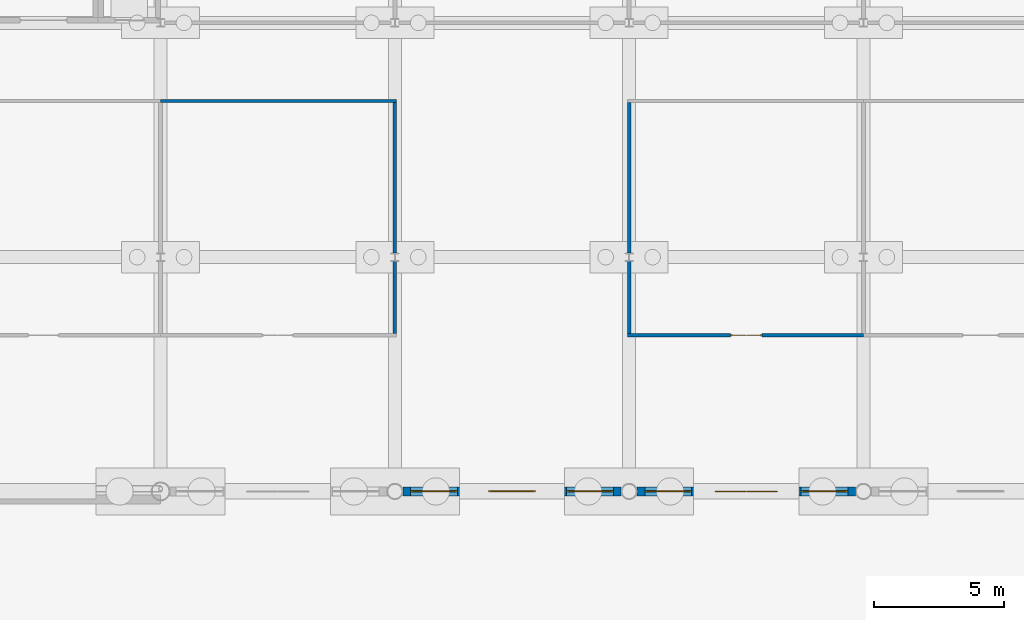
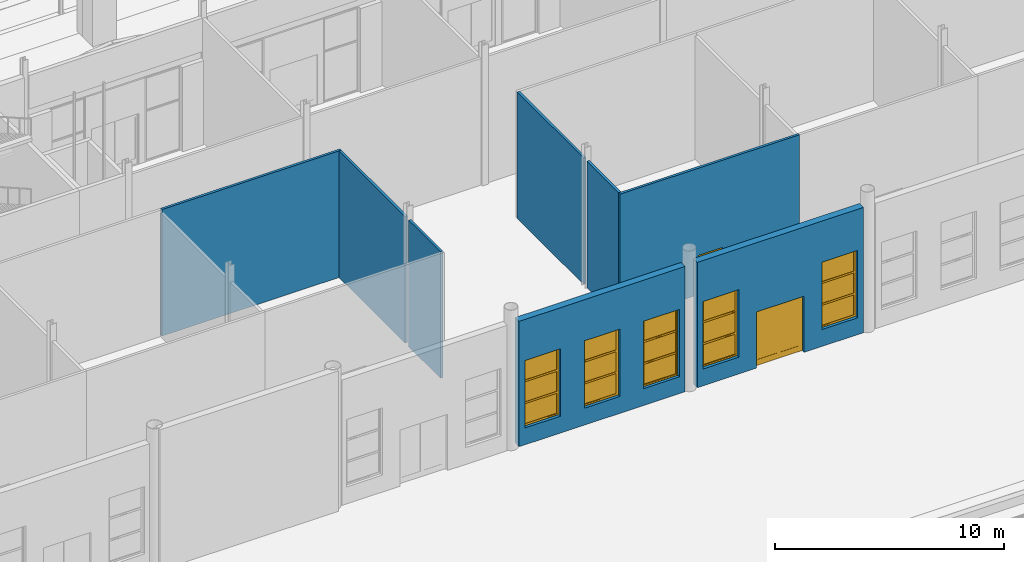
# One storey, part 128 of 250: 8 walls, 5 windows, 2 doors, 7 openings.
"""IFC4 building model written with IfcOpenShell, lengths in metres."""

from ifc_helpers import new_model, si_unit, direction, frame, frame_2d, origin, place, context, subcontext, project, spatial, polyline, rectangle, outline, extrude, material, layer, layer_set, type_object, element, fill, save


model = new_model("IFC4")

# Units and contexts
model_context = context("Model", 3, precision=1e-05, world=origin(), true_north=direction((0.0, 1.0)))
body_context = subcontext(model_context, "Body", "Model", "MODEL_VIEW")
ifc_project = project(units=[si_unit("LENGTHUNIT", "METRE"), si_unit("AREAUNIT", "SQUARE_METRE"), si_unit("VOLUMEUNIT", "CUBIC_METRE"), si_unit("PLANEANGLEUNIT", "RADIAN"), si_unit("MASSUNIT", "GRAM", prefix="KILO")], contexts=[model_context])

# Site, building, storey
site_placement = place(None, origin())
site = spatial("IfcSite", under=ifc_project, at=site_placement, CompositionType="ELEMENT")
building_placement = place(site_placement, origin())
building = spatial("IfcBuilding", under=site, at=building_placement, Name="Baradari Gate Terminus", CompositionType="ELEMENT")
storey_placement = place(building_placement, origin())
storey = spatial("IfcBuildingStorey", under=building, at=storey_placement, Name="L00", CompositionType="ELEMENT", Elevation=0.0)

# Wall
ifc_material_1 = material(Name="Gypsum board")
ifc_layer_1 = layer(ifc_material_1, 0.125)
ifc_layer_set_1 = layer_set([ifc_layer_1], Name="Gypsum board")
wall_type_1 = type_object("IfcWallType", Name="Corridor partition PT-5 125 EI 30", PredefinedType="PARTITIONING", material=ifc_layer_set_1)
wall_1_placement = place(storey_placement, frame((198.0625, 96.0, 0.0), z_axis=(0.0, 0.0, 1.0), x_axis=(-1.0, 0.0, 0.0)))
element("IfcWall", 1, at=wall_1_placement, inside=storey, type_object=wall_type_1, Name="PT-5 partition Corridor (Service Corridor East) / First Aid Room", PredefinedType="PARTITIONING", context=body_context, shape_type="SweptSolid", body=[
    extrude(rectangle(XDim=9.0625, YDim=0.125, at=frame_2d((4.53125, 0.0))), origin(), (0.0, 0.0, 1.0), 6.757080078125),
])

# Wall, opening, door
wall_2_placement = place(storey_placement, frame((206.9375, 87.0, 0.0), z_axis=(0.0, 0.0, 1.0), x_axis=(1.0, 0.0, 0.0)))
wall_2 = element("IfcWall", 2, at=wall_2_placement, inside=storey, type_object=wall_type_1, Name="PT-5 partition Corridor (Platform Passage East) / Police Post", PredefinedType="PARTITIONING", context=body_context, shape_type="SweptSolid", body=[
    extrude(rectangle(XDim=9.0625, YDim=0.125, at=frame_2d((4.53125, 0.0))), origin(), (0.0, 0.0, 1.0), 6.757080078125),
])
opening_1_placement = place(wall_2_placement, frame((3.96240234375, 0.0, 0.0)))
opening_1 = element("IfcOpeningElement", 3, at=opening_1_placement, cuts=wall_2, Name="Opening D00-114", PredefinedType="OPENING", context=body_context, shape_type="SweptSolid", body=[
    extrude(rectangle(XDim=1.199951171875, YDim=2.10009765625, at=frame_2d((0.60009765625, 1.050048828125))), frame((0.0, 0.072509765625, 0.0), z_axis=(0.0, -1.0, 0.0), x_axis=(1.0, 0.0, 0.0)), (0.0, 0.0, 1.0), 0.14501953125),
])
ifc_material_2 = material(Name="Steel S275", Category="steel")
door_type_1 = type_object("IfcDoorType", Name="Fire door FI-1200-FD30S 1200x2100 FD30S", OperationType="DOUBLE_DOOR_SINGLE_SWING", PredefinedType="DOOR", material=ifc_material_2)
door_1_placement = place(opening_1_placement, origin())
door_1 = element("IfcDoor", 4, at=door_1_placement, inside=storey, type_object=door_type_1, Name="Door Police Post", OperationType="DOUBLE_DOOR_SINGLE_SWING", OverallHeight=2.1, OverallWidth=1.2, PredefinedType="DOOR", context=body_context, shape_type="SweptSolid", body=[
    extrude(outline(polyline([(0.0, 0.0), (0.070068359375, 0.0), (0.070068359375, 2.030029296875), (1.1298828125, 2.030029296875), (1.1298828125, 0.0), (1.199951171875, 0.0), (1.199951171875, 2.10009765625), (0.0, 2.10009765625), (0.0, 0.0)])), frame((0.0, 0.02490234375, 0.0), z_axis=(0.0, -1.0, 0.0), x_axis=(1.0, 0.0, 0.0)), (0.0, 0.0, 1.0), 0.050048828125),
    extrude(outline(polyline([(0.073974609375, 0.010009765625), (0.596923828125, 0.010009765625), (0.596923828125, 2.026123046875), (0.073974609375, 2.026123046875), (0.073974609375, 0.010009765625)]), holes=[polyline([(0.178466796875, 0.372802734375), (0.492431640625, 0.372802734375), (0.492431640625, 1.7841796875), (0.178466796875, 1.7841796875), (0.178466796875, 0.372802734375)])]), frame((0.0, 0.017333984375, 0.0), z_axis=(0.0, -1.0, 0.0), x_axis=(1.0, 0.0, 0.0)), (0.0, 0.0, 1.0), 0.034912109375),
    extrude(rectangle(XDim=0.31396484375, YDim=1.411376953125, at=frame_2d((0.33544921875, 1.07861328125))), frame((0.0, 0.008544921875, 0.0), z_axis=(0.0, -1.0, 0.0), x_axis=(1.0, 0.0, 0.0)), (0.0, 0.0, 1.0), 0.017333984375),
    extrude(outline(polyline([(0.60302734375, 0.010009765625), (1.1259765625, 0.010009765625), (1.1259765625, 2.026123046875), (0.60302734375, 2.026123046875), (0.60302734375, 0.010009765625)]), holes=[polyline([(0.70751953125, 0.372802734375), (1.021484375, 0.372802734375), (1.021484375, 1.7841796875), (0.70751953125, 1.7841796875), (0.70751953125, 0.372802734375)])]), frame((0.0, 0.017333984375, 0.0), z_axis=(0.0, -1.0, 0.0), x_axis=(1.0, 0.0, 0.0)), (0.0, 0.0, 1.0), 0.034912109375),
    extrude(rectangle(XDim=0.31396484375, YDim=1.411376953125, at=frame_2d((0.864501953125, 1.07861328125))), frame((0.0, 0.008544921875, 0.0), z_axis=(0.0, -1.0, 0.0), x_axis=(1.0, 0.0, 0.0)), (0.0, 0.0, 1.0), 0.017333984375),
])
fill(opening_1, door_1)

# Walls
wall_3_placement = place(storey_placement, frame((207.0, 95.9375, 0.0), z_axis=(0.0, 0.0, 1.0), x_axis=(0.0, -1.0, 0.0)))
element("IfcWall", 5, at=wall_3_placement, inside=storey, type_object=wall_type_1, Name="PT-5 partition Corridor (Cross Passage East) / Police Post", PredefinedType="PARTITIONING", context=body_context, shape_type="SweptSolid", body=[
    extrude(rectangle(XDim=5.7802734375, YDim=0.125, at=frame_2d((2.89013671875, 0.0))), origin(), (0.0, 0.0, 1.0), 6.757080078125),
])
for number, where, z_axis, x_axis, name in (
    (6, (207.0, 89.8427734375, 0.0), (0.0, 0.0, 1.0), (0.0, -1.0, 0.0), "PT-5 partition Corridor (Cross Passage East) / Police Post"),
    (7, (198.0, 87.0625, 0.0), (0.0, 0.0, 1.0), (0.0, 1.0, 0.0), "PT-5 partition Corridor (Cross Passage East) / First Aid Room"),
):
    element("IfcWall", number, at=place(storey_placement, frame(where, z_axis=z_axis, x_axis=x_axis)), inside=storey, type_object=wall_type_1, Name=name, PredefinedType="PARTITIONING", context=body_context, shape_type="SweptSolid", body=[
        extrude(rectangle(XDim=2.7802734375, YDim=0.125, at=frame_2d((1.39013671875, 0.0))), origin(), (0.0, 0.0, 1.0), 6.757080078125),
    ])
wall_4_placement = place(storey_placement, frame((198.0, 90.1572265625, 0.0), z_axis=(0.0, 0.0, 1.0), x_axis=(0.0, 1.0, 0.0)))
element("IfcWall", 8, at=wall_4_placement, inside=storey, type_object=wall_type_1, Name="PT-5 partition Corridor (Cross Passage East) / First Aid Room", PredefinedType="PARTITIONING", context=body_context, shape_type="SweptSolid", body=[
    extrude(rectangle(XDim=5.7802734375, YDim=0.125, at=frame_2d((2.89013671875, 0.0))), origin(), (0.0, 0.0, 1.0), 6.757080078125),
])

# Wall, openings, windows
ifc_material_3 = material(Name="Sandstone masonry", Category="masonry")
ifc_layer_2 = layer(ifc_material_3, 0.35009765625)
ifc_layer_set_2 = layer_set([ifc_layer_2], Name="Sandstone masonry")
wall_type_2 = type_object("IfcWallType", Name="Sandstone masonry wall WS-1 350", PredefinedType="SOLIDWALL", material=ifc_layer_set_2)
wall_5_placement = place(storey_placement, frame((198.304931640625, 81.0, 0.0), z_axis=(0.0, 0.0, 1.0), x_axis=(1.0, 0.0, 0.0)))
wall_5 = element("IfcWall", 9, at=wall_5_placement, inside=storey, type_object=wall_type_2, Name="platform side wall HS bay 23 L00", PredefinedType="SOLIDWALL", context=body_context, shape_type="SweptSolid", body=[
    extrude(rectangle(XDim=8.39013671875, YDim=0.35009765625, at=frame_2d((4.195068359375, 0.0))), origin(), (0.0, 0.0, 1.0), 6.692138671875),
])
opening_2_placement = place(wall_5_placement, frame((0.294921875, 0.0, 0.89990234375)))
opening_2 = element("IfcOpeningElement", 10, at=opening_2_placement, cuts=wall_5, Name="Opening W3", PredefinedType="OPENING", context=body_context, shape_type="SweptSolid", body=[
    extrude(rectangle(XDim=1.800048828125, YDim=3.60009765625, at=frame_2d((0.89990234375, 1.800048828125))), frame((0.0, 0.18505859375, 0.0), z_axis=(0.0, -1.0, 0.0), x_axis=(1.0, 0.0, 0.0)), (0.0, 0.0, 1.0), 0.3701171875),
])
opening_3_placement = place(wall_5_placement, frame((3.294921875, 0.0, 0.89990234375)))
opening_3 = element("IfcOpeningElement", 11, at=opening_3_placement, cuts=wall_5, Name="Opening W3", PredefinedType="OPENING", context=body_context, shape_type="SweptSolid", body=[
    extrude(rectangle(XDim=1.800048828125, YDim=3.60009765625, at=frame_2d((0.89990234375, 1.800048828125))), frame((0.0, 0.18505859375, 0.0), z_axis=(0.0, -1.0, 0.0), x_axis=(1.0, 0.0, 0.0)), (0.0, 0.0, 1.0), 0.3701171875),
])
opening_4_placement = place(wall_5_placement, frame((6.294921875, 0.0, 0.89990234375)))
opening_4 = element("IfcOpeningElement", 12, at=opening_4_placement, cuts=wall_5, Name="Opening W3", PredefinedType="OPENING", context=body_context, shape_type="SweptSolid", body=[
    extrude(rectangle(XDim=1.800048828125, YDim=3.60009765625, at=frame_2d((0.89990234375, 1.800048828125))), frame((0.0, 0.18505859375, 0.0), z_axis=(0.0, -1.0, 0.0), x_axis=(1.0, 0.0, 0.0)), (0.0, 0.0, 1.0), 0.3701171875),
])
ifc_material_4 = material(Name="Aluminium 6063-T6", Category="aluminium")
window_type = type_object("IfcWindowType", Name="Tall window, 3-light W3 1800x3600", PartitioningType="TRIPLE_PANEL_HORIZONTAL", PredefinedType="WINDOW", material=ifc_material_4)
window_1_placement = place(opening_2_placement, origin())
window_1 = element("IfcWindow", 13, at=window_1_placement, inside=storey, type_object=window_type, Name="Window W3 HS/22", OverallHeight=3.6, OverallWidth=1.8, PartitioningType="TRIPLE_PANEL_HORIZONTAL", PredefinedType="WINDOW", context=body_context, shape_type="SweptSolid", body=[
    extrude(outline(polyline([(0.0, 0.0), (1.800048828125, 0.0), (1.800048828125, 3.60009765625), (0.0, 3.60009765625), (0.0, 0.0)]), holes=[polyline([(0.070068359375, 0.070068359375), (1.72998046875, 0.070068359375), (1.72998046875, 3.530029296875), (0.070068359375, 3.530029296875), (0.070068359375, 0.070068359375)])]), frame((0.0, 0.030029296875, 0.0), z_axis=(0.0, -1.0, 0.0), x_axis=(1.0, 0.0, 0.0)), (0.0, 0.0, 1.0), 0.06005859375),
    extrude(rectangle(XDim=1.659912109375, YDim=0.0400390625, at=frame_2d((0.89990234375, 1.216796875))), frame((0.0, 0.021484375, 0.0), z_axis=(0.0, -1.0, 0.0), x_axis=(1.0, 0.0, 0.0)), (0.0, 0.0, 1.0), 0.04296875),
    extrude(rectangle(XDim=1.659912109375, YDim=0.0400390625, at=frame_2d((0.89990234375, 2.38330078125))), frame((0.0, 0.021484375, 0.0), z_axis=(0.0, -1.0, 0.0), x_axis=(1.0, 0.0, 0.0)), (0.0, 0.0, 1.0), 0.04296875),
    extrude(outline(polyline([(0.070068359375, 0.070068359375), (1.72998046875, 0.070068359375), (1.72998046875, 1.19677734375), (0.070068359375, 1.19677734375), (0.070068359375, 0.070068359375)]), holes=[polyline([(0.10009765625, 0.10009765625), (1.699951171875, 0.10009765625), (1.699951171875, 1.166748046875), (0.10009765625, 1.166748046875), (0.10009765625, 0.10009765625)])]), frame((0.0, 0.0224609375, 0.0), z_axis=(0.0, -1.0, 0.0), x_axis=(1.0, 0.0, 0.0)), (0.0, 0.0, 1.0), 0.044921875),
    extrude(rectangle(XDim=1.599853515625, YDim=1.066650390625, at=frame_2d((0.89990234375, 0.63330078125))), frame((0.0, 0.006103515625, 0.0), z_axis=(0.0, -1.0, 0.0), x_axis=(1.0, 0.0, 0.0)), (0.0, 0.0, 1.0), 0.01220703125),
    extrude(outline(polyline([(0.070068359375, 1.23681640625), (1.72998046875, 1.23681640625), (1.72998046875, 2.36328125), (0.070068359375, 2.36328125), (0.070068359375, 1.23681640625)]), holes=[polyline([(0.10009765625, 1.266845703125), (1.699951171875, 1.266845703125), (1.699951171875, 2.333251953125), (0.10009765625, 2.333251953125), (0.10009765625, 1.266845703125)])]), frame((0.0, 0.0224609375, 0.0), z_axis=(0.0, -1.0, 0.0), x_axis=(1.0, 0.0, 0.0)), (0.0, 0.0, 1.0), 0.044921875),
    extrude(rectangle(XDim=1.599853515625, YDim=1.06640625, at=frame_2d((0.89990234375, 1.800048828125))), frame((0.0, 0.006103515625, 0.0), z_axis=(0.0, -1.0, 0.0), x_axis=(1.0, 0.0, 0.0)), (0.0, 0.0, 1.0), 0.01220703125),
    extrude(outline(polyline([(0.070068359375, 2.4033203125), (1.72998046875, 2.4033203125), (1.72998046875, 3.530029296875), (0.070068359375, 3.530029296875), (0.070068359375, 2.4033203125)]), holes=[polyline([(0.10009765625, 2.433349609375), (1.699951171875, 2.433349609375), (1.699951171875, 3.5), (0.10009765625, 3.5), (0.10009765625, 2.433349609375)])]), frame((0.0, 0.0224609375, 0.0), z_axis=(0.0, -1.0, 0.0), x_axis=(1.0, 0.0, 0.0)), (0.0, 0.0, 1.0), 0.044921875),
    extrude(rectangle(XDim=1.599853515625, YDim=1.066650390625, at=frame_2d((0.89990234375, 2.966796875))), frame((0.0, 0.006103515625, 0.0), z_axis=(0.0, -1.0, 0.0), x_axis=(1.0, 0.0, 0.0)), (0.0, 0.0, 1.0), 0.01220703125),
])
fill(opening_2, window_1)
window_2_placement = place(opening_3_placement, origin())
window_2 = element("IfcWindow", 14, at=window_2_placement, inside=storey, type_object=window_type, Name="Window W3 HS/22", OverallHeight=3.6, OverallWidth=1.8, PartitioningType="TRIPLE_PANEL_HORIZONTAL", PredefinedType="WINDOW", context=body_context, shape_type="SweptSolid", body=[
    extrude(outline(polyline([(0.0, 0.0), (1.800048828125, 0.0), (1.800048828125, 3.60009765625), (0.0, 3.60009765625), (0.0, 0.0)]), holes=[polyline([(0.070068359375, 0.070068359375), (1.72998046875, 0.070068359375), (1.72998046875, 3.530029296875), (0.070068359375, 3.530029296875), (0.070068359375, 0.070068359375)])]), frame((0.0, 0.030029296875, 0.0), z_axis=(0.0, -1.0, 0.0), x_axis=(1.0, 0.0, 0.0)), (0.0, 0.0, 1.0), 0.06005859375),
    extrude(rectangle(XDim=1.659912109375, YDim=0.0400390625, at=frame_2d((0.89990234375, 1.216796875))), frame((0.0, 0.021484375, 0.0), z_axis=(0.0, -1.0, 0.0), x_axis=(1.0, 0.0, 0.0)), (0.0, 0.0, 1.0), 0.04296875),
    extrude(rectangle(XDim=1.659912109375, YDim=0.0400390625, at=frame_2d((0.89990234375, 2.38330078125))), frame((0.0, 0.021484375, 0.0), z_axis=(0.0, -1.0, 0.0), x_axis=(1.0, 0.0, 0.0)), (0.0, 0.0, 1.0), 0.04296875),
    extrude(outline(polyline([(0.070068359375, 0.070068359375), (1.72998046875, 0.070068359375), (1.72998046875, 1.19677734375), (0.070068359375, 1.19677734375), (0.070068359375, 0.070068359375)]), holes=[polyline([(0.10009765625, 0.10009765625), (1.699951171875, 0.10009765625), (1.699951171875, 1.166748046875), (0.10009765625, 1.166748046875), (0.10009765625, 0.10009765625)])]), frame((0.0, 0.0224609375, 0.0), z_axis=(0.0, -1.0, 0.0), x_axis=(1.0, 0.0, 0.0)), (0.0, 0.0, 1.0), 0.044921875),
    extrude(rectangle(XDim=1.599853515625, YDim=1.066650390625, at=frame_2d((0.89990234375, 0.63330078125))), frame((0.0, 0.006103515625, 0.0), z_axis=(0.0, -1.0, 0.0), x_axis=(1.0, 0.0, 0.0)), (0.0, 0.0, 1.0), 0.01220703125),
    extrude(outline(polyline([(0.070068359375, 1.23681640625), (1.72998046875, 1.23681640625), (1.72998046875, 2.36328125), (0.070068359375, 2.36328125), (0.070068359375, 1.23681640625)]), holes=[polyline([(0.10009765625, 1.266845703125), (1.699951171875, 1.266845703125), (1.699951171875, 2.333251953125), (0.10009765625, 2.333251953125), (0.10009765625, 1.266845703125)])]), frame((0.0, 0.0224609375, 0.0), z_axis=(0.0, -1.0, 0.0), x_axis=(1.0, 0.0, 0.0)), (0.0, 0.0, 1.0), 0.044921875),
    extrude(rectangle(XDim=1.599853515625, YDim=1.06640625, at=frame_2d((0.89990234375, 1.800048828125))), frame((0.0, 0.006103515625, 0.0), z_axis=(0.0, -1.0, 0.0), x_axis=(1.0, 0.0, 0.0)), (0.0, 0.0, 1.0), 0.01220703125),
    extrude(outline(polyline([(0.070068359375, 2.4033203125), (1.72998046875, 2.4033203125), (1.72998046875, 3.530029296875), (0.070068359375, 3.530029296875), (0.070068359375, 2.4033203125)]), holes=[polyline([(0.10009765625, 2.433349609375), (1.699951171875, 2.433349609375), (1.699951171875, 3.5), (0.10009765625, 3.5), (0.10009765625, 2.433349609375)])]), frame((0.0, 0.0224609375, 0.0), z_axis=(0.0, -1.0, 0.0), x_axis=(1.0, 0.0, 0.0)), (0.0, 0.0, 1.0), 0.044921875),
    extrude(rectangle(XDim=1.599853515625, YDim=1.066650390625, at=frame_2d((0.89990234375, 2.966796875))), frame((0.0, 0.006103515625, 0.0), z_axis=(0.0, -1.0, 0.0), x_axis=(1.0, 0.0, 0.0)), (0.0, 0.0, 1.0), 0.01220703125),
])
fill(opening_3, window_2)
window_3_placement = place(opening_4_placement, origin())
window_3 = element("IfcWindow", 15, at=window_3_placement, inside=storey, type_object=window_type, Name="Window W3 HS/22", OverallHeight=3.6, OverallWidth=1.8, PartitioningType="TRIPLE_PANEL_HORIZONTAL", PredefinedType="WINDOW", context=body_context, shape_type="SweptSolid", body=[
    extrude(outline(polyline([(0.0, 0.0), (1.800048828125, 0.0), (1.800048828125, 3.60009765625), (0.0, 3.60009765625), (0.0, 0.0)]), holes=[polyline([(0.070068359375, 0.070068359375), (1.72998046875, 0.070068359375), (1.72998046875, 3.530029296875), (0.070068359375, 3.530029296875), (0.070068359375, 0.070068359375)])]), frame((0.0, 0.030029296875, 0.0), z_axis=(0.0, -1.0, 0.0), x_axis=(1.0, 0.0, 0.0)), (0.0, 0.0, 1.0), 0.06005859375),
    extrude(rectangle(XDim=1.659912109375, YDim=0.0400390625, at=frame_2d((0.89990234375, 1.216796875))), frame((0.0, 0.021484375, 0.0), z_axis=(0.0, -1.0, 0.0), x_axis=(1.0, 0.0, 0.0)), (0.0, 0.0, 1.0), 0.04296875),
    extrude(rectangle(XDim=1.659912109375, YDim=0.0400390625, at=frame_2d((0.89990234375, 2.38330078125))), frame((0.0, 0.021484375, 0.0), z_axis=(0.0, -1.0, 0.0), x_axis=(1.0, 0.0, 0.0)), (0.0, 0.0, 1.0), 0.04296875),
    extrude(outline(polyline([(0.070068359375, 0.070068359375), (1.72998046875, 0.070068359375), (1.72998046875, 1.19677734375), (0.070068359375, 1.19677734375), (0.070068359375, 0.070068359375)]), holes=[polyline([(0.10009765625, 0.10009765625), (1.699951171875, 0.10009765625), (1.699951171875, 1.166748046875), (0.10009765625, 1.166748046875), (0.10009765625, 0.10009765625)])]), frame((0.0, 0.0224609375, 0.0), z_axis=(0.0, -1.0, 0.0), x_axis=(1.0, 0.0, 0.0)), (0.0, 0.0, 1.0), 0.044921875),
    extrude(rectangle(XDim=1.599853515625, YDim=1.066650390625, at=frame_2d((0.89990234375, 0.63330078125))), frame((0.0, 0.006103515625, 0.0), z_axis=(0.0, -1.0, 0.0), x_axis=(1.0, 0.0, 0.0)), (0.0, 0.0, 1.0), 0.01220703125),
    extrude(outline(polyline([(0.070068359375, 1.23681640625), (1.72998046875, 1.23681640625), (1.72998046875, 2.36328125), (0.070068359375, 2.36328125), (0.070068359375, 1.23681640625)]), holes=[polyline([(0.10009765625, 1.266845703125), (1.699951171875, 1.266845703125), (1.699951171875, 2.333251953125), (0.10009765625, 2.333251953125), (0.10009765625, 1.266845703125)])]), frame((0.0, 0.0224609375, 0.0), z_axis=(0.0, -1.0, 0.0), x_axis=(1.0, 0.0, 0.0)), (0.0, 0.0, 1.0), 0.044921875),
    extrude(rectangle(XDim=1.599853515625, YDim=1.06640625, at=frame_2d((0.89990234375, 1.800048828125))), frame((0.0, 0.006103515625, 0.0), z_axis=(0.0, -1.0, 0.0), x_axis=(1.0, 0.0, 0.0)), (0.0, 0.0, 1.0), 0.01220703125),
    extrude(outline(polyline([(0.070068359375, 2.4033203125), (1.72998046875, 2.4033203125), (1.72998046875, 3.530029296875), (0.070068359375, 3.530029296875), (0.070068359375, 2.4033203125)]), holes=[polyline([(0.10009765625, 2.433349609375), (1.699951171875, 2.433349609375), (1.699951171875, 3.5), (0.10009765625, 3.5), (0.10009765625, 2.433349609375)])]), frame((0.0, 0.0224609375, 0.0), z_axis=(0.0, -1.0, 0.0), x_axis=(1.0, 0.0, 0.0)), (0.0, 0.0, 1.0), 0.044921875),
    extrude(rectangle(XDim=1.599853515625, YDim=1.066650390625, at=frame_2d((0.89990234375, 2.966796875))), frame((0.0, 0.006103515625, 0.0), z_axis=(0.0, -1.0, 0.0), x_axis=(1.0, 0.0, 0.0)), (0.0, 0.0, 1.0), 0.01220703125),
])
fill(opening_4, window_3)

# Wall, openings, door, windows
wall_6_placement = place(storey_placement, frame((207.304931640625, 81.0, 0.0), z_axis=(0.0, 0.0, 1.0), x_axis=(1.0, 0.0, 0.0)))
wall_6 = element("IfcWall", 16, at=wall_6_placement, inside=storey, type_object=wall_type_2, Name="platform side HS bay 24 L00", PredefinedType="SOLIDWALL", context=body_context, shape_type="SweptSolid", body=[
    extrude(rectangle(XDim=8.39013671875, YDim=0.35009765625, at=frame_2d((4.195068359375, 0.0))), origin(), (0.0, 0.0, 1.0), 6.692138671875),
])
opening_5_placement = place(wall_6_placement, frame((2.9951171875, 0.0, 0.0)))
opening_5 = element("IfcOpeningElement", 17, at=opening_5_placement, cuts=wall_6, Name="Opening D00-042", PredefinedType="OPENING", context=body_context, shape_type="SweptSolid", body=[
    extrude(rectangle(XDim=2.39990234375, YDim=3.0, at=frame_2d((1.199951171875, 1.5))), frame((0.0, 0.18505859375, 0.0), z_axis=(0.0, -1.0, 0.0), x_axis=(1.0, 0.0, 0.0)), (0.0, 0.0, 1.0), 0.3701171875),
])
opening_6_placement = place(wall_6_placement, frame((0.294921875, 0.0, 0.89990234375)))
opening_6 = element("IfcOpeningElement", 18, at=opening_6_placement, cuts=wall_6, Name="Opening W3", PredefinedType="OPENING", context=body_context, shape_type="SweptSolid", body=[
    extrude(rectangle(XDim=1.800048828125, YDim=3.60009765625, at=frame_2d((0.89990234375, 1.800048828125))), frame((0.0, 0.18505859375, 0.0), z_axis=(0.0, -1.0, 0.0), x_axis=(1.0, 0.0, 0.0)), (0.0, 0.0, 1.0), 0.3701171875),
])
opening_7_placement = place(wall_6_placement, frame((6.294921875, 0.0, 0.89990234375)))
opening_7 = element("IfcOpeningElement", 19, at=opening_7_placement, cuts=wall_6, Name="Opening W3", PredefinedType="OPENING", context=body_context, shape_type="SweptSolid", body=[
    extrude(rectangle(XDim=1.800048828125, YDim=3.60009765625, at=frame_2d((0.89990234375, 1.800048828125))), frame((0.0, 0.18505859375, 0.0), z_axis=(0.0, -1.0, 0.0), x_axis=(1.0, 0.0, 0.0)), (0.0, 0.0, 1.0), 0.3701171875),
])
ifc_material_5 = material(Name="Aluminium 6063-T6", Category="aluminium")
door_type_2 = type_object("IfcDoorType", Name="Platform door pair, glazed DT-7 2400x3000", OperationType="DOUBLE_DOOR_SINGLE_SWING", PredefinedType="DOOR", material=ifc_material_5)
door_2_placement = place(opening_5_placement, frame((2.39990234375, 0.0, 0.0), z_axis=(0.0, 0.0, 1.0), x_axis=(-1.0, 0.0, 0.0)))
door_2 = element("IfcDoor", 20, at=door_2_placement, inside=storey, type_object=door_type_2, Name="Exit door Corridor (Platform Passage East)", OperationType="DOUBLE_DOOR_SINGLE_SWING", OverallHeight=3.0, OverallWidth=2.4, PredefinedType="DOOR", context=body_context, shape_type="SweptSolid", body=[
    extrude(outline(polyline([(0.0, 0.0), (0.070068359375, 0.0), (0.070068359375, 2.929931640625), (2.329833984375, 2.929931640625), (2.329833984375, 0.0), (2.39990234375, 0.0), (2.39990234375, 3.0), (0.0, 3.0), (0.0, 0.0)])), frame((0.0, 0.02490234375, 0.0), z_axis=(0.0, -1.0, 0.0), x_axis=(1.0, 0.0, 0.0)), (0.0, 0.0, 1.0), 0.050048828125),
    extrude(outline(polyline([(0.073974609375, 0.010009765625), (1.19677734375, 0.010009765625), (1.19677734375, 2.926025390625), (0.073974609375, 2.926025390625), (0.073974609375, 0.010009765625)]), holes=[polyline([(0.1640625, 0.31005859375), (1.10693359375, 0.31005859375), (1.10693359375, 2.8359375), (0.1640625, 2.8359375), (0.1640625, 0.31005859375)])]), frame((0.0, 0.017333984375, 0.0), z_axis=(0.0, -1.0, 0.0), x_axis=(1.0, 0.0, 0.0)), (0.0, 0.0, 1.0), 0.034912109375),
    extrude(rectangle(XDim=0.94287109375, YDim=2.52587890625, at=frame_2d((0.635498046875, 1.572998046875))), frame((0.0, 0.005859375, 0.0), z_axis=(0.0, -1.0, 0.0), x_axis=(1.0, 0.0, 0.0)), (0.0, 0.0, 1.0), 0.011962890625),
    extrude(outline(polyline([(1.203125, 0.010009765625), (2.325927734375, 0.010009765625), (2.325927734375, 2.926025390625), (1.203125, 2.926025390625), (1.203125, 0.010009765625)]), holes=[polyline([(1.29296875, 0.31005859375), (2.23583984375, 0.31005859375), (2.23583984375, 2.8359375), (1.29296875, 2.8359375), (1.29296875, 0.31005859375)])]), frame((0.0, 0.017333984375, 0.0), z_axis=(0.0, -1.0, 0.0), x_axis=(1.0, 0.0, 0.0)), (0.0, 0.0, 1.0), 0.034912109375),
    extrude(rectangle(XDim=0.94287109375, YDim=2.52587890625, at=frame_2d((1.764404296875, 1.572998046875))), frame((0.0, 0.005859375, 0.0), z_axis=(0.0, -1.0, 0.0), x_axis=(1.0, 0.0, 0.0)), (0.0, 0.0, 1.0), 0.011962890625),
])
fill(opening_5, door_2)
window_4_placement = place(opening_6_placement, origin())
window_4 = element("IfcWindow", 21, at=window_4_placement, inside=storey, type_object=window_type, Name="Window W3 HS/23", OverallHeight=3.6, OverallWidth=1.8, PartitioningType="TRIPLE_PANEL_HORIZONTAL", PredefinedType="WINDOW", context=body_context, shape_type="SweptSolid", body=[
    extrude(outline(polyline([(0.0, 0.0), (1.800048828125, 0.0), (1.800048828125, 3.60009765625), (0.0, 3.60009765625), (0.0, 0.0)]), holes=[polyline([(0.070068359375, 0.070068359375), (1.72998046875, 0.070068359375), (1.72998046875, 3.530029296875), (0.070068359375, 3.530029296875), (0.070068359375, 0.070068359375)])]), frame((0.0, 0.030029296875, 0.0), z_axis=(0.0, -1.0, 0.0), x_axis=(1.0, 0.0, 0.0)), (0.0, 0.0, 1.0), 0.06005859375),
    extrude(rectangle(XDim=1.659912109375, YDim=0.0400390625, at=frame_2d((0.89990234375, 1.216796875))), frame((0.0, 0.021484375, 0.0), z_axis=(0.0, -1.0, 0.0), x_axis=(1.0, 0.0, 0.0)), (0.0, 0.0, 1.0), 0.04296875),
    extrude(rectangle(XDim=1.659912109375, YDim=0.0400390625, at=frame_2d((0.89990234375, 2.38330078125))), frame((0.0, 0.021484375, 0.0), z_axis=(0.0, -1.0, 0.0), x_axis=(1.0, 0.0, 0.0)), (0.0, 0.0, 1.0), 0.04296875),
    extrude(outline(polyline([(0.070068359375, 0.070068359375), (1.72998046875, 0.070068359375), (1.72998046875, 1.19677734375), (0.070068359375, 1.19677734375), (0.070068359375, 0.070068359375)]), holes=[polyline([(0.10009765625, 0.10009765625), (1.699951171875, 0.10009765625), (1.699951171875, 1.166748046875), (0.10009765625, 1.166748046875), (0.10009765625, 0.10009765625)])]), frame((0.0, 0.0224609375, 0.0), z_axis=(0.0, -1.0, 0.0), x_axis=(1.0, 0.0, 0.0)), (0.0, 0.0, 1.0), 0.044921875),
    extrude(rectangle(XDim=1.599853515625, YDim=1.066650390625, at=frame_2d((0.89990234375, 0.63330078125))), frame((0.0, 0.006103515625, 0.0), z_axis=(0.0, -1.0, 0.0), x_axis=(1.0, 0.0, 0.0)), (0.0, 0.0, 1.0), 0.01220703125),
    extrude(outline(polyline([(0.070068359375, 1.23681640625), (1.72998046875, 1.23681640625), (1.72998046875, 2.36328125), (0.070068359375, 2.36328125), (0.070068359375, 1.23681640625)]), holes=[polyline([(0.10009765625, 1.266845703125), (1.699951171875, 1.266845703125), (1.699951171875, 2.333251953125), (0.10009765625, 2.333251953125), (0.10009765625, 1.266845703125)])]), frame((0.0, 0.0224609375, 0.0), z_axis=(0.0, -1.0, 0.0), x_axis=(1.0, 0.0, 0.0)), (0.0, 0.0, 1.0), 0.044921875),
    extrude(rectangle(XDim=1.599853515625, YDim=1.06640625, at=frame_2d((0.89990234375, 1.800048828125))), frame((0.0, 0.006103515625, 0.0), z_axis=(0.0, -1.0, 0.0), x_axis=(1.0, 0.0, 0.0)), (0.0, 0.0, 1.0), 0.01220703125),
    extrude(outline(polyline([(0.070068359375, 2.4033203125), (1.72998046875, 2.4033203125), (1.72998046875, 3.530029296875), (0.070068359375, 3.530029296875), (0.070068359375, 2.4033203125)]), holes=[polyline([(0.10009765625, 2.433349609375), (1.699951171875, 2.433349609375), (1.699951171875, 3.5), (0.10009765625, 3.5), (0.10009765625, 2.433349609375)])]), frame((0.0, 0.0224609375, 0.0), z_axis=(0.0, -1.0, 0.0), x_axis=(1.0, 0.0, 0.0)), (0.0, 0.0, 1.0), 0.044921875),
    extrude(rectangle(XDim=1.599853515625, YDim=1.066650390625, at=frame_2d((0.89990234375, 2.966796875))), frame((0.0, 0.006103515625, 0.0), z_axis=(0.0, -1.0, 0.0), x_axis=(1.0, 0.0, 0.0)), (0.0, 0.0, 1.0), 0.01220703125),
])
fill(opening_6, window_4)
window_5_placement = place(opening_7_placement, origin())
window_5 = element("IfcWindow", 22, at=window_5_placement, inside=storey, type_object=window_type, Name="Window W3 HS/23", OverallHeight=3.6, OverallWidth=1.8, PartitioningType="TRIPLE_PANEL_HORIZONTAL", PredefinedType="WINDOW", context=body_context, shape_type="SweptSolid", body=[
    extrude(outline(polyline([(0.0, 0.0), (1.800048828125, 0.0), (1.800048828125, 3.60009765625), (0.0, 3.60009765625), (0.0, 0.0)]), holes=[polyline([(0.070068359375, 0.070068359375), (1.72998046875, 0.070068359375), (1.72998046875, 3.530029296875), (0.070068359375, 3.530029296875), (0.070068359375, 0.070068359375)])]), frame((0.0, 0.030029296875, 0.0), z_axis=(0.0, -1.0, 0.0), x_axis=(1.0, 0.0, 0.0)), (0.0, 0.0, 1.0), 0.06005859375),
    extrude(rectangle(XDim=1.659912109375, YDim=0.0400390625, at=frame_2d((0.89990234375, 1.216796875))), frame((0.0, 0.021484375, 0.0), z_axis=(0.0, -1.0, 0.0), x_axis=(1.0, 0.0, 0.0)), (0.0, 0.0, 1.0), 0.04296875),
    extrude(rectangle(XDim=1.659912109375, YDim=0.0400390625, at=frame_2d((0.89990234375, 2.38330078125))), frame((0.0, 0.021484375, 0.0), z_axis=(0.0, -1.0, 0.0), x_axis=(1.0, 0.0, 0.0)), (0.0, 0.0, 1.0), 0.04296875),
    extrude(outline(polyline([(0.070068359375, 0.070068359375), (1.72998046875, 0.070068359375), (1.72998046875, 1.19677734375), (0.070068359375, 1.19677734375), (0.070068359375, 0.070068359375)]), holes=[polyline([(0.10009765625, 0.10009765625), (1.699951171875, 0.10009765625), (1.699951171875, 1.166748046875), (0.10009765625, 1.166748046875), (0.10009765625, 0.10009765625)])]), frame((0.0, 0.0224609375, 0.0), z_axis=(0.0, -1.0, 0.0), x_axis=(1.0, 0.0, 0.0)), (0.0, 0.0, 1.0), 0.044921875),
    extrude(rectangle(XDim=1.599853515625, YDim=1.066650390625, at=frame_2d((0.89990234375, 0.63330078125))), frame((0.0, 0.006103515625, 0.0), z_axis=(0.0, -1.0, 0.0), x_axis=(1.0, 0.0, 0.0)), (0.0, 0.0, 1.0), 0.01220703125),
    extrude(outline(polyline([(0.070068359375, 1.23681640625), (1.72998046875, 1.23681640625), (1.72998046875, 2.36328125), (0.070068359375, 2.36328125), (0.070068359375, 1.23681640625)]), holes=[polyline([(0.10009765625, 1.266845703125), (1.699951171875, 1.266845703125), (1.699951171875, 2.333251953125), (0.10009765625, 2.333251953125), (0.10009765625, 1.266845703125)])]), frame((0.0, 0.0224609375, 0.0), z_axis=(0.0, -1.0, 0.0), x_axis=(1.0, 0.0, 0.0)), (0.0, 0.0, 1.0), 0.044921875),
    extrude(rectangle(XDim=1.599853515625, YDim=1.06640625, at=frame_2d((0.89990234375, 1.800048828125))), frame((0.0, 0.006103515625, 0.0), z_axis=(0.0, -1.0, 0.0), x_axis=(1.0, 0.0, 0.0)), (0.0, 0.0, 1.0), 0.01220703125),
    extrude(outline(polyline([(0.070068359375, 2.4033203125), (1.72998046875, 2.4033203125), (1.72998046875, 3.530029296875), (0.070068359375, 3.530029296875), (0.070068359375, 2.4033203125)]), holes=[polyline([(0.10009765625, 2.433349609375), (1.699951171875, 2.433349609375), (1.699951171875, 3.5), (0.10009765625, 3.5), (0.10009765625, 2.433349609375)])]), frame((0.0, 0.0224609375, 0.0), z_axis=(0.0, -1.0, 0.0), x_axis=(1.0, 0.0, 0.0)), (0.0, 0.0, 1.0), 0.044921875),
    extrude(rectangle(XDim=1.599853515625, YDim=1.066650390625, at=frame_2d((0.89990234375, 2.966796875))), frame((0.0, 0.006103515625, 0.0), z_axis=(0.0, -1.0, 0.0), x_axis=(1.0, 0.0, 0.0)), (0.0, 0.0, 1.0), 0.01220703125),
])
fill(opening_7, window_5)

save(model, "model.ifc")
